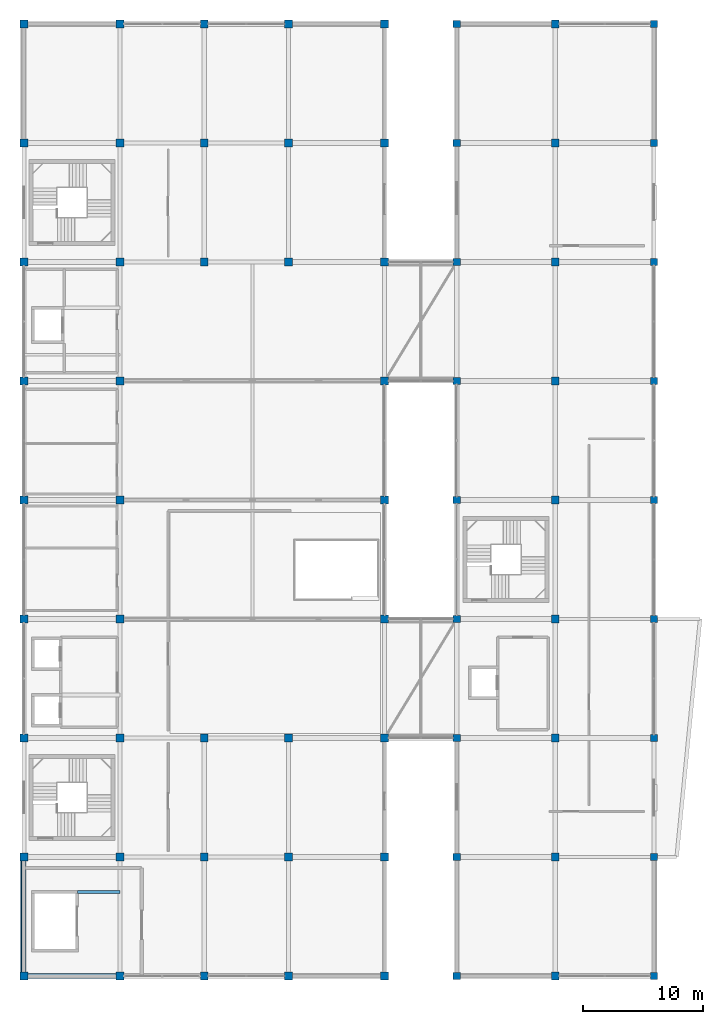
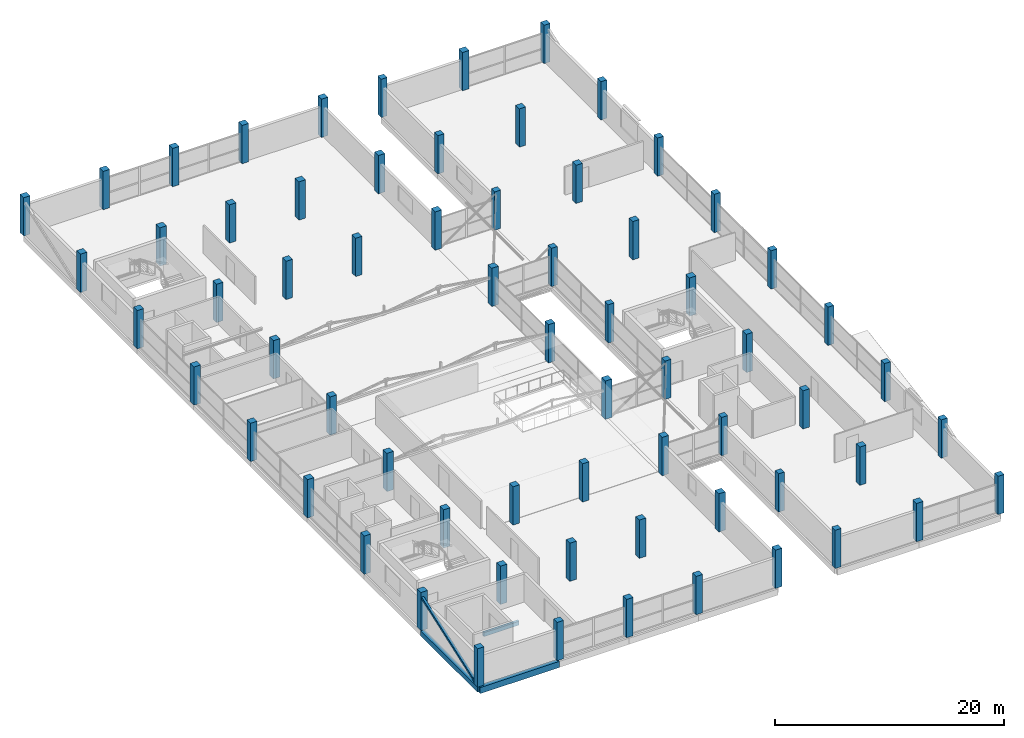
# One storey, part 1 of 66: 66 columns, 3 beams, 1 member.
"""IFC4 building model written with IfcOpenShell, lengths in metres."""

from ifc_helpers import new_model, si_unit, direction, frame, origin, origin_2d, place, context, subcontext, project, spatial, rectangle, hollow_rectangle, extrude, material, material_profile, profile_set, type_object, element, save


model = new_model("IFC4")

# Units and contexts
model_context = context("Model", 3, precision=1e-05, world=origin(), true_north=direction((0.0, 1.0)))
body_context = subcontext(model_context, "Body", "Model", "MODEL_VIEW")
ifc_project = project(units=[si_unit("LENGTHUNIT", "METRE"), si_unit("AREAUNIT", "SQUARE_METRE"), si_unit("VOLUMEUNIT", "CUBIC_METRE"), si_unit("PLANEANGLEUNIT", "RADIAN"), si_unit("MASSUNIT", "GRAM", prefix="KILO")], contexts=[model_context])

# Site, building, storey
site_placement = place(None, origin())
site = spatial("IfcSite", under=ifc_project, at=site_placement, CompositionType="ELEMENT")
building_placement = place(site_placement, origin())
building = spatial("IfcBuilding", under=site, at=building_placement, Name="Sillaruma Civic Art Gallery", CompositionType="ELEMENT")
storey_placement = place(building_placement, frame((0.0, 0.0, 62.219970703125)))
storey = spatial("IfcBuildingStorey", under=building, at=storey_placement, Name="L12", CompositionType="ELEMENT", Elevation=62.219970703125)

# Columns
ifc_material_1 = material(Name="Concrete H40 (40 MPa)", Category="concrete")
ifc_material_profile_1 = material_profile(ifc_material_1, rectangle(XDim=0.60009765625, YDim=0.60009765625, at=origin_2d()), Name="RC600x600")
ifc_profile_set_1 = profile_set([ifc_material_profile_1], Name="Concrete H40 (40 MPa)")
column_type_1 = type_object("IfcColumnType", Name="COL-COLUMN-RC600x600", PredefinedType="COLUMN", material=ifc_profile_set_1)
for number, where, z_axis, x_axis, name in (
    (1, (98.0, 19.800048828125, 0.0), (0.0, 0.0, 1.0), (1.0, 0.0, 0.0), "Column C-08 (L12:L3)"),
    (2, (98.0, 29.699951171875, 0.0), (0.0, 0.0, 1.0), (1.0, 0.0, 0.0), "Column C-08 (L12:L4)"),
    (3, (98.0, 39.60009765625, 0.0), (0.0, 0.0, 1.0), (1.0, 0.0, 0.0), "Column C-08 (L12:L5)"),
    (4, (98.0, 49.5, 0.0), (0.0, 0.0, 1.0), (1.0, 0.0, 0.0), "Column C-08 (L12:L6)"),
    (5, (98.0, 59.39990234375, 0.0), (0.0, 0.0, 1.0), (1.0, 0.0, 0.0), "Column C-08 (L12:L7)"),
    (6, (98.0, 69.300048828125, 0.0), (0.0, 0.0, 1.0), (1.0, 0.0, 0.0), "Column C-08 (L12:L8)"),
    (7, (98.0, 79.199951171875, 0.0), (0.0, 0.0, 1.0), (1.0, 0.0, 0.0), "Column C-08 (L12:L9)"),
    (8, (98.0, 89.10009765625, 0.0), (0.0, 0.0, 1.0), (1.0, 0.0, 0.0), "Column C-08 (L12:L10)"),
    (9, (98.0, 99.0, 0.0), (0.0, 0.0, 1.0), (1.0, 0.0, 0.0), "Column C-08 (L12:L11)"),
    (10, (114.39990234375, 19.800048828125, 0.0), (0.0, 0.0, 1.0), (1.0, 0.0, 0.0), "Column C-08 (L12:N3)"),
    (11, (114.39990234375, 29.699951171875, 0.0), (0.0, 0.0, 1.0), (1.0, 0.0, 0.0), "Column C-08 (L12:N4)"),
    (12, (114.39990234375, 39.60009765625, 0.0), (0.0, 0.0, 1.0), (1.0, 0.0, 0.0), "Column C-08 (L12:N5)"),
    (13, (114.39990234375, 49.5, 0.0), (0.0, 0.0, 1.0), (1.0, 0.0, 0.0), "Column C-08 (L12:N6)"),
    (14, (114.39990234375, 59.39990234375, 0.0), (0.0, 0.0, 1.0), (1.0, 0.0, 0.0), "Column C-08 (L12:N7)"),
    (15, (114.39990234375, 69.300048828125, 0.0), (0.0, 0.0, 1.0), (1.0, 0.0, 0.0), "Column C-08 (L12:N8)"),
    (16, (114.39990234375, 79.199951171875, 0.0), (0.0, 0.0, 1.0), (1.0, 0.0, 0.0), "Column C-08 (L12:N9)"),
    (17, (114.39990234375, 89.10009765625, 0.0), (0.0, 0.0, 1.0), (1.0, 0.0, 0.0), "Column C-08 (L12:N10)"),
    (18, (114.39990234375, 99.0, 0.0), (0.0, 0.0, 1.0), (1.0, 0.0, 0.0), "Column C-08 (L12:N11)"),
):
    element("IfcColumn", number, at=place(storey_placement, frame(where, z_axis=z_axis, x_axis=x_axis)), inside=storey, type_object=column_type_1, Name=name, PredefinedType="COLUMN", context=body_context, shape_type="SweptSolid", body=[
        extrude(rectangle(XDim=0.60009765625, YDim=0.60009765625, at=origin_2d()), origin(), (0.0, 0.0, 1.0), 4.080078125),
    ])
ifc_material_profile_2 = material_profile(ifc_material_1, rectangle(XDim=0.64990234375, YDim=0.64990234375, at=origin_2d()), Name="RC650x650")
ifc_profile_set_2 = profile_set([ifc_material_profile_2], Name="Concrete H40 (40 MPa)")
column_type_2 = type_object("IfcColumnType", Name="COL-COLUMN-RC650x650", PredefinedType="COLUMN", material=ifc_profile_set_2)
for number, where, z_axis, x_axis, name in (
    (19, (62.0, 19.800048828125, 0.0), (0.0, 0.0, 1.0), (1.0, 0.0, 0.0), "Column C-07 (L12:F3)"),
    (20, (62.0, 29.699951171875, 0.0), (0.0, 0.0, 1.0), (1.0, 0.0, 0.0), "Column C-07 (L12:F4)"),
    (21, (62.0, 39.60009765625, 0.0), (0.0, 0.0, 1.0), (1.0, 0.0, 0.0), "Column C-07 (L12:F5)"),
    (22, (62.0, 49.5, 0.0), (0.0, 0.0, 1.0), (1.0, 0.0, 0.0), "Column C-07 (L12:F6)"),
    (23, (62.0, 59.39990234375, 0.0), (0.0, 0.0, 1.0), (1.0, 0.0, 0.0), "Column C-07 (L12:F7)"),
    (24, (62.0, 69.300048828125, 0.0), (0.0, 0.0, 1.0), (1.0, 0.0, 0.0), "Column C-07 (L12:F8)"),
    (25, (62.0, 79.199951171875, 0.0), (0.0, 0.0, 1.0), (1.0, 0.0, 0.0), "Column C-07 (L12:F9)"),
    (26, (62.0, 89.10009765625, 0.0), (0.0, 0.0, 1.0), (1.0, 0.0, 0.0), "Column C-07 (L12:F10)"),
    (27, (62.0, 99.0, 0.0), (0.0, 0.0, 1.0), (1.0, 0.0, 0.0), "Column C-07 (L12:F11)"),
    (28, (70.0, 19.800048828125, 0.0), (0.0, 0.0, 1.0), (1.0, 0.0, 0.0), "Column C-07 (L12:G3)"),
    (29, (70.0, 29.699951171875, 0.0), (0.0, 0.0, 1.0), (1.0, 0.0, 0.0), "Column C-07 (L12:G4)"),
    (30, (70.0, 39.60009765625, 0.0), (0.0, 0.0, 1.0), (1.0, 0.0, 0.0), "Column C-07 (L12:G5)"),
    (31, (70.0, 49.5, 0.0), (0.0, 0.0, 1.0), (1.0, 0.0, 0.0), "Column C-07 (L12:G6)"),
    (32, (70.0, 59.39990234375, 0.0), (0.0, 0.0, 1.0), (1.0, 0.0, 0.0), "Column C-07 (L12:G7)"),
    (33, (70.0, 69.300048828125, 0.0), (0.0, 0.0, 1.0), (1.0, 0.0, 0.0), "Column C-07 (L12:G8)"),
    (34, (70.0, 79.199951171875, 0.0), (0.0, 0.0, 1.0), (1.0, 0.0, 0.0), "Column C-07 (L12:G9)"),
    (35, (70.0, 89.10009765625, 0.0), (0.0, 0.0, 1.0), (1.0, 0.0, 0.0), "Column C-07 (L12:G10)"),
    (36, (70.0, 99.0, 0.0), (0.0, 0.0, 1.0), (1.0, 0.0, 0.0), "Column C-07 (L12:G11)"),
    (37, (77.0, 19.800048828125, 0.0), (0.0, 0.0, 1.0), (1.0, 0.0, 0.0), "Column C-07 (L12:H3)"),
    (38, (77.0, 29.699951171875, 0.0), (0.0, 0.0, 1.0), (1.0, 0.0, 0.0), "Column C-07 (L12:H4)"),
    (39, (77.0, 39.60009765625, 0.0), (0.0, 0.0, 1.0), (1.0, 0.0, 0.0), "Column C-07 (L12:H5)"),
    (40, (77.0, 79.199951171875, 0.0), (0.0, 0.0, 1.0), (1.0, 0.0, 0.0), "Column C-07 (L12:H9)"),
    (41, (77.0, 89.10009765625, 0.0), (0.0, 0.0, 1.0), (1.0, 0.0, 0.0), "Column C-07 (L12:H10)"),
    (42, (77.0, 99.0, 0.0), (0.0, 0.0, 1.0), (1.0, 0.0, 0.0), "Column C-07 (L12:H11)"),
    (43, (84.0, 19.800048828125, 0.0), (0.0, 0.0, 1.0), (1.0, 0.0, 0.0), "Column C-07 (L12:J3)"),
    (44, (84.0, 29.699951171875, 0.0), (0.0, 0.0, 1.0), (1.0, 0.0, 0.0), "Column C-07 (L12:J4)"),
    (45, (84.0, 39.60009765625, 0.0), (0.0, 0.0, 1.0), (1.0, 0.0, 0.0), "Column C-07 (L12:J5)"),
    (46, (84.0, 79.199951171875, 0.0), (0.0, 0.0, 1.0), (1.0, 0.0, 0.0), "Column C-07 (L12:J9)"),
    (47, (84.0, 89.10009765625, 0.0), (0.0, 0.0, 1.0), (1.0, 0.0, 0.0), "Column C-07 (L12:J10)"),
    (48, (84.0, 99.0, 0.0), (0.0, 0.0, 1.0), (1.0, 0.0, 0.0), "Column C-07 (L12:J11)"),
    (49, (92.0, 19.800048828125, 0.0), (0.0, 0.0, 1.0), (1.0, 0.0, 0.0), "Column C-07 (L12:K3)"),
    (50, (92.0, 29.699951171875, 0.0), (0.0, 0.0, 1.0), (1.0, 0.0, 0.0), "Column C-07 (L12:K4)"),
    (51, (92.0, 39.60009765625, 0.0), (0.0, 0.0, 1.0), (1.0, 0.0, 0.0), "Column C-07 (L12:K5)"),
    (52, (92.0, 49.5, 0.0), (0.0, 0.0, 1.0), (1.0, 0.0, 0.0), "Column C-07 (L12:K6)"),
    (53, (92.0, 59.39990234375, 0.0), (0.0, 0.0, 1.0), (1.0, 0.0, 0.0), "Column C-07 (L12:K7)"),
    (54, (92.0, 69.300048828125, 0.0), (0.0, 0.0, 1.0), (1.0, 0.0, 0.0), "Column C-07 (L12:K8)"),
    (55, (92.0, 79.199951171875, 0.0), (0.0, 0.0, 1.0), (1.0, 0.0, 0.0), "Column C-07 (L12:K9)"),
    (56, (92.0, 89.10009765625, 0.0), (0.0, 0.0, 1.0), (1.0, 0.0, 0.0), "Column C-07 (L12:K10)"),
    (57, (92.0, 99.0, 0.0), (0.0, 0.0, 1.0), (1.0, 0.0, 0.0), "Column C-07 (L12:K11)"),
    (58, (106.199951171875, 19.800048828125, 0.0), (0.0, 0.0, 1.0), (1.0, 0.0, 0.0), "Column C-07 (L12:M3)"),
    (59, (106.199951171875, 29.699951171875, 0.0), (0.0, 0.0, 1.0), (1.0, 0.0, 0.0), "Column C-07 (L12:M4)"),
    (60, (106.199951171875, 39.60009765625, 0.0), (0.0, 0.0, 1.0), (1.0, 0.0, 0.0), "Column C-07 (L12:M5)"),
    (61, (106.199951171875, 49.5, 0.0), (0.0, 0.0, 1.0), (1.0, 0.0, 0.0), "Column C-07 (L12:M6)"),
    (62, (106.199951171875, 59.39990234375, 0.0), (0.0, 0.0, 1.0), (1.0, 0.0, 0.0), "Column C-07 (L12:M7)"),
    (63, (106.199951171875, 69.300048828125, 0.0), (0.0, 0.0, 1.0), (1.0, 0.0, 0.0), "Column C-07 (L12:M8)"),
    (64, (106.199951171875, 79.199951171875, 0.0), (0.0, 0.0, 1.0), (1.0, 0.0, 0.0), "Column C-07 (L12:M9)"),
    (65, (106.199951171875, 89.10009765625, 0.0), (0.0, 0.0, 1.0), (1.0, 0.0, 0.0), "Column C-07 (L12:M10)"),
    (66, (106.199951171875, 99.0, 0.0), (0.0, 0.0, 1.0), (1.0, 0.0, 0.0), "Column C-07 (L12:M11)"),
):
    element("IfcColumn", number, at=place(storey_placement, frame(where, z_axis=z_axis, x_axis=x_axis)), inside=storey, type_object=column_type_2, Name=name, PredefinedType="COLUMN", context=body_context, shape_type="SweptSolid", body=[
        extrude(rectangle(XDim=0.64990234375, YDim=0.64990234375, at=origin_2d()), origin(), (0.0, 0.0, 1.0), 4.080078125),
    ])

# Beams
ifc_material_2 = material(Name="Concrete H35 (35 MPa)", Category="concrete")
ifc_material_profile_3 = material_profile(ifc_material_2, rectangle(XDim=0.260009765625, YDim=0.419921875, at=origin_2d()), Name="RCB260x420")
ifc_profile_set_3 = profile_set([ifc_material_profile_3], Name="Concrete H35 (35 MPa)")
beam_type_1 = type_object("IfcBeamType", Name="BM-LINTEL-RCB260x420", PredefinedType="LINTEL", material=ifc_profile_set_3)
beam_1_placement = place(storey_placement, frame((66.449951171875, 26.780029296875, -0.43994140625), z_axis=(1.0, 0.0, 0.0), x_axis=(0.0, 1.0, 0.0)))
element("IfcBeam", 67, at=beam_1_placement, inside=storey, type_object=beam_type_1, Name="Core Portal Coupling Lintel BL-02 (L11:GL1)", PredefinedType="LINTEL", context=body_context, shape_type="SweptSolid", body=[
    extrude(rectangle(XDim=0.260009765625, YDim=0.419921875, at=origin_2d()), origin(), (0.0, 0.0, 1.0), 3.550048828125),
])
ifc_material_profile_4 = material_profile(ifc_material_2, rectangle(XDim=0.35009765625, YDim=0.550048828125, at=origin_2d()), Name="RCB350x550")
ifc_profile_set_4 = profile_set([ifc_material_profile_4], Name="Concrete H35 (35 MPa)")
beam_type_2 = type_object("IfcBeamType", Name="BM-SPANDREL-RCB350x550", PredefinedType="SPANDREL", material=ifc_profile_set_4)
beam_2_placement = place(storey_placement, frame((62.0, 19.800048828125, -0.5048828125), z_axis=(0.0, 1.0, 0.0), x_axis=(-1.0, 0.0, 0.0)))
element("IfcBeam", 68, at=beam_2_placement, inside=storey, type_object=beam_type_2, Name="Beam BS-04 (L11:F:3-4)", PredefinedType="SPANDREL", context=body_context, shape_type="SweptSolid", body=[
    extrude(rectangle(XDim=0.35009765625, YDim=0.550048828125, at=origin_2d()), origin(), (0.0, 0.0, 1.0), 9.89990234375),
])
ifc_material_profile_5 = material_profile(ifc_material_2, rectangle(XDim=0.39990234375, YDim=0.64990234375, at=origin_2d()), Name="RCB400x650")
ifc_profile_set_5 = profile_set([ifc_material_profile_5], Name="Concrete H35 (35 MPa)")
beam_type_3 = type_object("IfcBeamType", Name="BM-SPANDREL-RCB400x650", PredefinedType="SPANDREL", material=ifc_profile_set_5)
beam_3_placement = place(storey_placement, frame((62.0, 19.800048828125, -0.554931640625), z_axis=(1.0, 0.0, 0.0), x_axis=(0.0, 1.0, 0.0)))
element("IfcBeam", 69, at=beam_3_placement, inside=storey, type_object=beam_type_3, Name="Beam BS-02 (L11:3:F-G)", PredefinedType="SPANDREL", context=body_context, shape_type="SweptSolid", body=[
    extrude(rectangle(XDim=0.39990234375, YDim=0.64990234375, at=origin_2d()), origin(), (0.0, 0.0, 1.0), 8.0),
])

# Member
ifc_material_3 = material(Name="Structural Steel ASTM A500 Gr.C", Category="steel")
ifc_material_profile_6 = material_profile(ifc_material_3, hollow_rectangle(XDim=0.25, YDim=0.25, WallThickness=0.012451171875, InnerFilletRadius=0.012451171875, OuterFilletRadius=0.02490234375, at=origin_2d()), Name="HSS250x250x12.5")
ifc_profile_set_6 = profile_set([ifc_material_profile_6], Name="Structural Steel ASTM A500 Gr.C")
member_type = type_object("IfcMemberType", Name="MEM-MEGA-BRACE", PredefinedType="BRACE", material=ifc_profile_set_6)
member_placement = place(storey_placement, frame((61.85009765625, 19.97998046875, 0.10009765625), z_axis=(0.0, 0.941968577938, 0.335701054775), x_axis=(-1.0, 0.0, 0.0)))
element("IfcMember", 70, at=member_placement, inside=storey, type_object=member_type, Name="Exterior Expressed Gallery Seismic Diagonal Brace (L12-WS)", PredefinedType="BRACE", context=body_context, shape_type="SweptSolid", body=[
    extrude(hollow_rectangle(XDim=0.25, YDim=0.25, WallThickness=0.012451171875, InnerFilletRadius=0.012451171875, OuterFilletRadius=0.02490234375, at=origin_2d()), origin(), (0.0, 0.0, 1.0), 10.127685546875),
])

save(model, "model.ifc")
